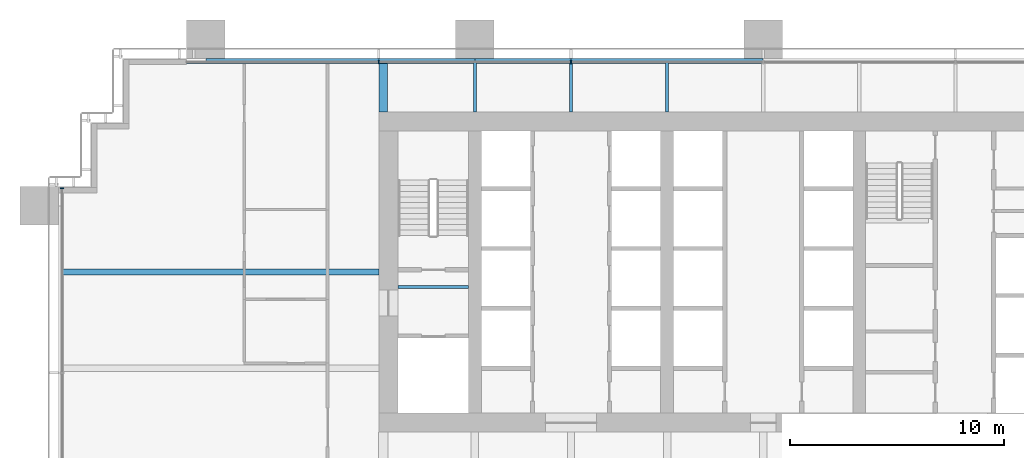
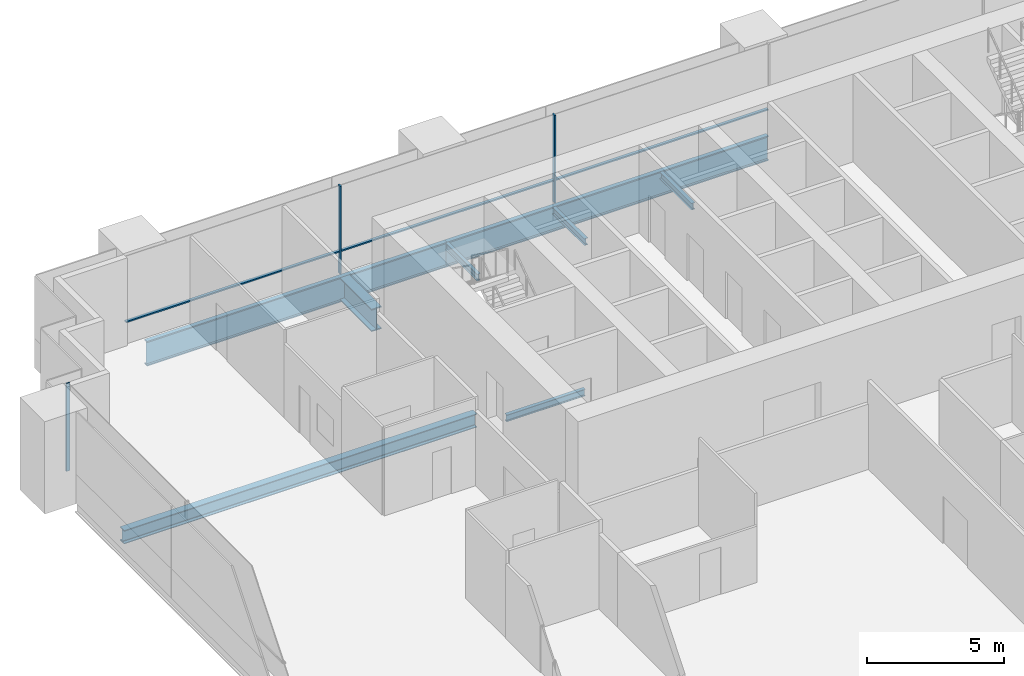
# One storey, part 7 of 19: 8 beams, 6 members, 2 elements without a shape of their own.
"""IFC4 building model written with IfcOpenShell, lengths in metres."""

from ifc_helpers import new_model, si_unit, direction, frame, origin, origin_2d, place, context, subcontext, project, spatial, rectangle, i_section, extrude, material, material_profile, profile_set, type_object, element, aggregate, save


model = new_model("IFC4")

# Units and contexts
model_context = context("Model", 3, precision=1e-05, world=origin(), true_north=direction((0.0, 1.0)))
body_context = subcontext(model_context, "Body", "Model", "MODEL_VIEW")
ifc_project = project(units=[si_unit("LENGTHUNIT", "METRE"), si_unit("AREAUNIT", "SQUARE_METRE"), si_unit("VOLUMEUNIT", "CUBIC_METRE"), si_unit("PLANEANGLEUNIT", "RADIAN"), si_unit("MASSUNIT", "GRAM", prefix="KILO")], contexts=[model_context])

# Site, building, storey
site_placement = place(None, origin())
site = spatial("IfcSite", under=ifc_project, at=site_placement, CompositionType="ELEMENT")
building_placement = place(site_placement, origin())
building = spatial("IfcBuilding", under=site, at=building_placement, Name="Rattan Terrace Tower", CompositionType="ELEMENT")
storey_placement = place(building_placement, frame((0.0, 0.0, 52.89990234375)))
storey = spatial("IfcBuildingStorey", under=building, at=storey_placement, Name="L11", CompositionType="ELEMENT", Elevation=52.89990234375)

# Curtain wall, members
ifc_material_1 = material(Name="Aluminium and glass", Category="aluminium")
curtain_wall_type = type_object("IfcCurtainWallType", Name="Facade Unitised Curtain Wall", PredefinedType="NOTDEFINED", material=ifc_material_1)
curtain_wall_1_placement = place(storey_placement, origin())
curtain_wall_1 = element("IfcCurtainWall", 1, at=curtain_wall_1_placement, inside=storey, type_object=curtain_wall_type, Name="Curtain wall L11-2", PredefinedType="NOTDEFINED")
ifc_material_2 = material(Name="Aluminium", Category="aluminium")
ifc_material_profile_1 = material_profile(ifc_material_2, rectangle(XDim=0.06005859375, YDim=0.159912109375, at=origin_2d()), Name="Aluminium 60x160")
ifc_profile_set_1 = profile_set([ifc_material_profile_1], Name="Aluminium")
member_type_1 = type_object("IfcMemberType", Name="Facade CW Mullion 60x160", PredefinedType="MULLION", material=ifc_profile_set_1)
member_1_placement = place(storey_placement, frame((-9.0, 9.830078125, 0.0), z_axis=(0.0, 0.0, 1.0), x_axis=(-1.0, 0.0, 0.0)))
member_1 = element("IfcMember", 2, at=member_1_placement, type_object=member_type_1, Name="Mullion cwl-L11-002.5", PredefinedType="MULLION", context=body_context, shape_type="SweptSolid", body=[
    extrude(rectangle(XDim=0.06005859375, YDim=0.159912109375, at=origin_2d()), origin(), (0.0, 0.0, 1.0), 3.900146484375),
])
member_2_placement = place(storey_placement, frame((-18.0, 9.830078125, 0.0), z_axis=(0.0, 0.0, 1.0), x_axis=(-1.0, 0.0, 0.0)))
member_2 = element("IfcMember", 3, at=member_2_placement, type_object=member_type_1, Name="Mullion cwl-L11-002.6", PredefinedType="MULLION", context=body_context, shape_type="SweptSolid", body=[
    extrude(rectangle(XDim=0.06005859375, YDim=0.159912109375, at=origin_2d()), origin(), (0.0, 0.0, 1.0), 3.900146484375),
])

# Curtain wall, member
curtain_wall_2_placement = place(storey_placement, origin())
curtain_wall_2 = element("IfcCurtainWall", 4, at=curtain_wall_2_placement, inside=storey, type_object=curtain_wall_type, Name="Curtain wall L11-3", PredefinedType="NOTDEFINED")
member_3_placement = place(storey_placement, frame((-32.830078125, 3.925048828125, 0.0), z_axis=(0.0, 0.0, 1.0), x_axis=(0.0, -1.0, 0.0)))
member_3 = element("IfcMember", 5, at=member_3_placement, type_object=member_type_1, Name="Mullion cwl-L11-003.1", PredefinedType="MULLION", context=body_context, shape_type="SweptSolid", body=[
    extrude(rectangle(XDim=0.06005859375, YDim=0.159912109375, at=origin_2d()), origin(), (0.0, 0.0, 1.0), 3.900146484375),
])
aggregate(curtain_wall_2, [member_3])

# Member
ifc_material_3 = material(Name="Aluminium", Category="aluminium")
ifc_material_profile_2 = material_profile(ifc_material_3, rectangle(XDim=0.1201171875, YDim=0.06005859375, at=origin_2d()), Name="Aluminium 120x60")
ifc_profile_set_2 = profile_set([ifc_material_profile_2], Name="Aluminium")
member_type_2 = type_object("IfcMemberType", Name="Facade CW Transom 120x60", PredefinedType="USERDEFINED", material=ifc_profile_set_2)
member_4_placement = place(storey_placement, frame((-0.030029296875, 9.830078125, 1.0), z_axis=(-1.0, 0.0, 0.0), x_axis=(0.0, -1.0, 0.0)))
member_4 = element("IfcMember", 6, at=member_4_placement, type_object=member_type_2, Name="Transom cwl-L11-002.4", ObjectType="TRANSOM", PredefinedType="USERDEFINED", context=body_context, shape_type="SweptSolid", body=[
    extrude(rectangle(XDim=0.1201171875, YDim=0.06005859375, at=origin_2d()), origin(), (0.0, 0.0, 1.0), 8.93994140625),
])

member_5_placement = place(storey_placement, frame((-9.030029296875, 9.830078125, 1.0), z_axis=(-1.0, 0.0, 0.0), x_axis=(0.0, -1.0, 0.0)))
member_5 = element("IfcMember", 7, at=member_5_placement, type_object=member_type_2, Name="Transom cwl-L11-002.5", ObjectType="TRANSOM", PredefinedType="USERDEFINED", context=body_context, shape_type="SweptSolid", body=[
    extrude(rectangle(XDim=0.1201171875, YDim=0.06005859375, at=origin_2d()), origin(), (0.0, 0.0, 1.0), 8.93994140625),
])

member_6_placement = place(storey_placement, frame((-18.030029296875, 9.830078125, 1.0), z_axis=(-1.0, 0.0, 0.0), x_axis=(0.0, -1.0, 0.0)))
member_6 = element("IfcMember", 8, at=member_6_placement, type_object=member_type_2, Name="Transom cwl-L11-002.6", ObjectType="TRANSOM", PredefinedType="USERDEFINED", context=body_context, shape_type="SweptSolid", body=[
    extrude(rectangle(XDim=0.1201171875, YDim=0.06005859375, at=origin_2d()), origin(), (0.0, 0.0, 1.0), 8.969970703125),
])

aggregate(curtain_wall_1, [member_1, member_2, member_4, member_5, member_6])

# Beams
ifc_material_4 = material(Name="Steel S460", Category="steel")
ifc_material_profile_3 = material_profile(ifc_material_4, i_section(OverallWidth=0.39990234375, OverallDepth=1.0, WebThickness=0.01806640625, FlangeThickness=0.044921875, at=origin_2d()), Name="PG 1000x400-18-45")
ifc_profile_set_3 = profile_set([ifc_material_profile_3], Name="Steel S460")
beam_type_1 = type_object("IfcBeamType", Name="Frame core girder PG 1000x400-18-45", PredefinedType="BEAM", material=ifc_profile_set_3)
beam_1_placement = place(storey_placement, frame((-17.800048828125, 7.5, -0.699951171875), z_axis=(0.0, 1.0, 0.0), x_axis=(-1.0, 0.0, 0.0)))
element("IfcBeam", 9, at=beam_1_placement, inside=storey, type_object=beam_type_1, Name="gdr-L11-015", PredefinedType="BEAM", context=body_context, shape_type="SweptSolid", body=[
    extrude(i_section(OverallWidth=0.39990234375, OverallDepth=1.0, WebThickness=0.01806640625, FlangeThickness=0.044921875, at=origin_2d()), origin(), (0.0, 0.0, 1.0), 2.320068359375),
])
ifc_material_5 = material(Name="Steel S460", Category="steel")
ifc_material_profile_4 = material_profile(ifc_material_5, i_section(OverallWidth=0.179931640625, OverallDepth=1.10009765625, WebThickness=0.01611328125, FlangeThickness=0.050048828125, at=origin_2d()), Name="PG 1100x180-16-50")
ifc_profile_set_4 = profile_set([ifc_material_profile_4], Name="Steel S460")
beam_type_2 = type_object("IfcBeamType", Name="Frame edge girder PG 1100x180-16-50", PredefinedType="SPANDREL", material=ifc_profile_set_4)
beam_2_placement = place(storey_placement, frame((-13.5, 9.909912109375, -0.75), z_axis=(-1.0, 0.0, 0.0), x_axis=(0.0, -1.0, 0.0)))
element("IfcBeam", 10, at=beam_2_placement, inside=storey, type_object=beam_type_2, Name="gdr-L11-009", PredefinedType="SPANDREL", context=body_context, shape_type="SweptSolid", body=[
    extrude(i_section(OverallWidth=0.179931640625, OverallDepth=1.10009765625, WebThickness=0.01611328125, FlangeThickness=0.050048828125, at=origin_2d()), origin(), (0.0, 0.0, 1.0), 12.60009765625),
])
beam_3_placement = place(storey_placement, frame((0.0, 9.909912109375, -0.75), z_axis=(-1.0, 0.0, 0.0), x_axis=(0.0, -1.0, 0.0)))
element("IfcBeam", 11, at=beam_3_placement, inside=storey, type_object=beam_type_2, Name="gdr-L11-010", PredefinedType="SPANDREL", context=body_context, shape_type="SweptSolid", body=[
    extrude(i_section(OverallWidth=0.179931640625, OverallDepth=1.10009765625, WebThickness=0.01611328125, FlangeThickness=0.050048828125, at=origin_2d()), origin(), (0.0, 0.0, 1.0), 13.5),
])
ifc_material_6 = material(Name="Steel S355", Category="steel")
ifc_material_profile_5 = material_profile(ifc_material_6, i_section(OverallWidth=0.300048828125, OverallDepth=0.60009765625, WebThickness=0.015380859375, FlangeThickness=0.030029296875, FilletRadius=0.027099609375, at=origin_2d()), Name="HE 600 B")
ifc_profile_set_5 = profile_set([ifc_material_profile_5], Name="Steel S355")
beam_type_3 = type_object("IfcBeamType", Name="Frame floor beam HE 600 B", PredefinedType="JOIST", material=ifc_profile_set_5)
beam_4_placement = place(storey_placement, frame((-32.820068359375, 0.0, -0.5), z_axis=(1.0, 0.0, 0.0), x_axis=(0.0, 1.0, 0.0)))
element("IfcBeam", 12, at=beam_4_placement, inside=storey, type_object=beam_type_3, Name="bm-L11-022", PredefinedType="JOIST", context=body_context, shape_type="SweptSolid", body=[
    extrude(i_section(OverallWidth=0.300048828125, OverallDepth=0.60009765625, WebThickness=0.015380859375, FlangeThickness=0.030029296875, FilletRadius=0.027099609375, at=origin_2d()), origin(), (0.0, 0.0, 1.0), 14.820068359375),
])
ifc_material_7 = material(Name="Steel S355", Category="steel")
ifc_material_profile_6 = material_profile(ifc_material_7, i_section(OverallWidth=0.14990234375, OverallDepth=0.300048828125, WebThickness=0.007080078125, FlangeThickness=0.0107421875, FilletRadius=0.014892578125, at=origin_2d()), Name="IPE 300")
ifc_profile_set_6 = profile_set([ifc_material_profile_6], Name="Steel S355")
beam_type_4 = type_object("IfcBeamType", Name="Frame floor beam IPE 300", PredefinedType="JOIST", material=ifc_profile_set_6)
beam_5_placement = place(storey_placement, frame((-17.10009765625, -0.695068359375, -0.349853515625), z_axis=(1.0, 0.0, 0.0), x_axis=(0.0, 1.0, 0.0)))
element("IfcBeam", 13, at=beam_5_placement, inside=storey, type_object=beam_type_4, Name="bm-L11-001", PredefinedType="JOIST", context=body_context, shape_type="SweptSolid", body=[
    extrude(i_section(OverallWidth=0.14990234375, OverallDepth=0.300048828125, WebThickness=0.007080078125, FlangeThickness=0.0107421875, FilletRadius=0.014892578125, at=origin_2d()), origin(), (0.0, 0.0, 1.0), 3.300048828125),
])
for number, where, z_axis, x_axis, name in (
    (14, (-13.5, 7.5, -0.349853515625), (0.0, 1.0, 0.0), (-1.0, 0.0, 0.0), "bm-L11-024"),
    (15, (-9.0, 7.5, -0.349853515625), (0.0, 1.0, 0.0), (-1.0, 0.0, 0.0), "bm-L11-025"),
    (16, (-4.5, 7.5, -0.349853515625), (0.0, 1.0, 0.0), (-1.0, 0.0, 0.0), "bm-L11-026"),
):
    element("IfcBeam", number, at=place(storey_placement, frame(where, z_axis=z_axis, x_axis=x_axis)), inside=storey, type_object=beam_type_4, Name=name, PredefinedType="JOIST", context=body_context, shape_type="SweptSolid", body=[
        extrude(i_section(OverallWidth=0.14990234375, OverallDepth=0.300048828125, WebThickness=0.007080078125, FlangeThickness=0.0107421875, FilletRadius=0.014892578125, at=origin_2d()), origin(), (0.0, 0.0, 1.0), 2.320068359375),
    ])

save(model, "model.ifc")
